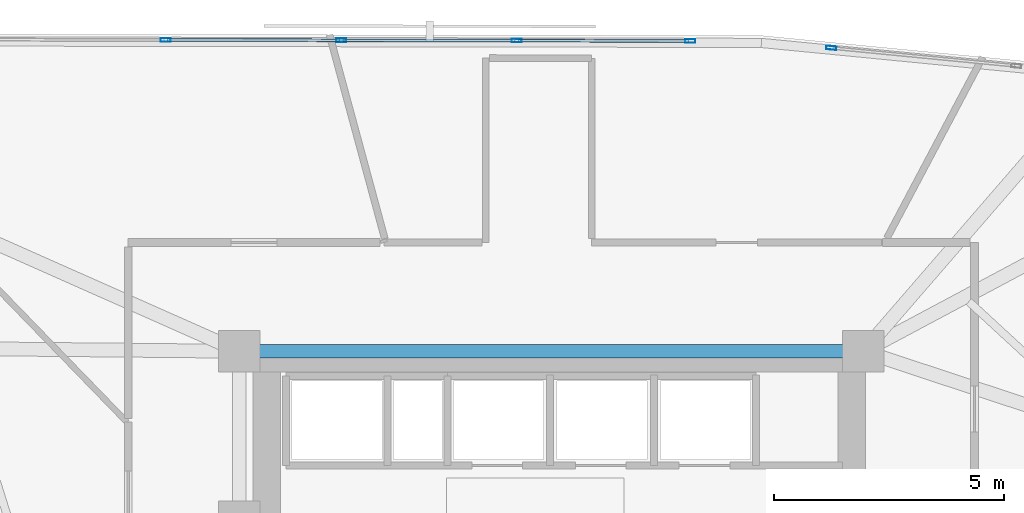
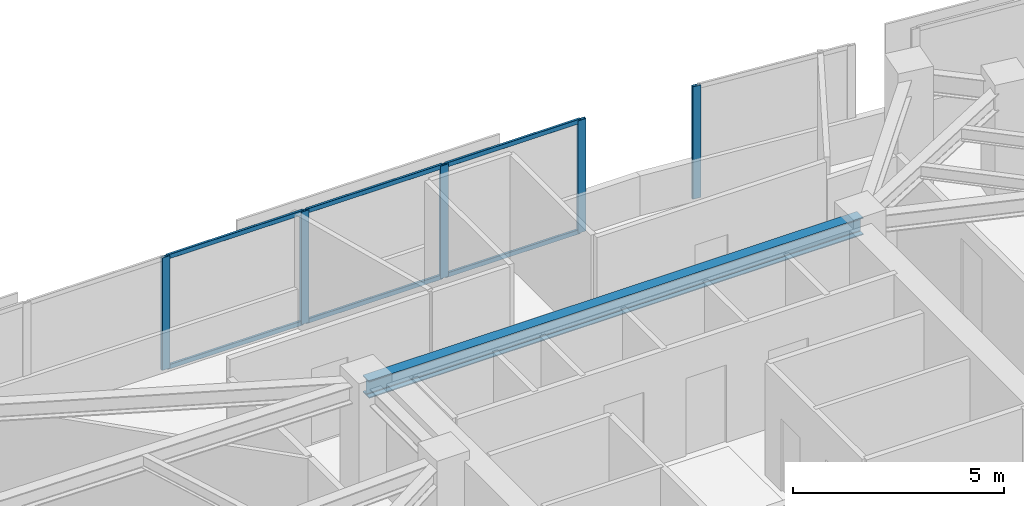
# One storey, part 3 of 14: 11 members, 1 beam, 2 elements without a shape of their own.
"""IFC4 building model written with IfcOpenShell, lengths in metres."""

from ifc_helpers import new_model, si_unit, direction, frame, origin, origin_2d, place, context, subcontext, project, spatial, hollow_rectangle, i_section, extrude, material, material_profile, profile_set, type_object, element, aggregate, save


model = new_model("IFC4")

# Units and contexts
model_context = context("Model", 3, precision=1e-05, world=origin(), true_north=direction((0.0, 1.0)))
body_context = subcontext(model_context, "Body", "Model", "MODEL_VIEW")
ifc_project = project(units=[si_unit("LENGTHUNIT", "METRE"), si_unit("AREAUNIT", "SQUARE_METRE"), si_unit("VOLUMEUNIT", "CUBIC_METRE"), si_unit("PLANEANGLEUNIT", "RADIAN"), si_unit("MASSUNIT", "GRAM", prefix="KILO")], contexts=[model_context])

# Site, building, storey
site_placement = place(None, origin())
site = spatial("IfcSite", under=ifc_project, at=site_placement, CompositionType="ELEMENT")
building_placement = place(site_placement, origin())
building = spatial("IfcBuilding", under=site, at=building_placement, Name="Narakoshi Arena Tower", CompositionType="ELEMENT")
storey_placement = place(building_placement, frame((0.0, 0.0, 236.10009765625)))
storey = spatial("IfcBuildingStorey", under=building, at=storey_placement, Name="L64", CompositionType="ELEMENT", Elevation=236.10009765625)

# Beam
ifc_material_1 = material(Name="Structural steel S355J2", Category="steel")
ifc_material_profile_1 = material_profile(ifc_material_1, i_section(OverallWidth=0.300048828125, OverallDepth=0.5, WebThickness=0.014404296875, FlangeThickness=0.028076171875, FilletRadius=0.027099609375, at=origin_2d()), Name="HE500B")
ifc_profile_set_1 = profile_set([ifc_material_profile_1], Name="Structural steel S355J2")
beam_type = type_object("IfcBeamType", Name="BM-PRI-500", PredefinedType="BEAM", material=ifc_profile_set_1)
beam_placement = place(storey_placement, frame((72.0, 56.5, 3.010009765625), z_axis=(1.0, 0.0, 0.0), x_axis=(0.0, 1.0, 0.0)))
element("IfcBeam", 1, at=beam_placement, inside=storey, type_object=beam_type, Name="L64 Core Perimeter Frame Beam CC5-CC6", PredefinedType="BEAM", context=body_context, shape_type="SweptSolid", body=[
    extrude(i_section(OverallWidth=0.300048828125, OverallDepth=0.5, WebThickness=0.014404296875, FlangeThickness=0.028076171875, FilletRadius=0.027099609375, at=origin_2d()), origin(), (0.0, 0.0, 1.0), 13.550048828125),
])

# Curtain wall, member
ifc_material_2 = material(Name="Anodised bronze aluminium 6063-T6", Category="aluminium")
curtain_wall_type = type_object("IfcCurtainWallType", Name="CW-HYP-HIGH", PredefinedType="NOTDEFINED", material=ifc_material_2)
curtain_wall_1_placement = place(storey_placement, origin())
curtain_wall_1 = element("IfcCurtainWall", 2, at=curtain_wall_1_placement, inside=storey, type_object=curtain_wall_type, Name="L64 Folded Hypotenuse Curtain Wall 1-2", PredefinedType="NOTDEFINED")
ifc_material_profile_2 = material_profile(ifc_material_2, hollow_rectangle(XDim=0.080078125, YDim=0.219970703125, WallThickness=0.0048828125, OuterFilletRadius=0.006103515625, at=origin_2d()), Name="MUL220x80x5")
ifc_profile_set_2 = profile_set([ifc_material_profile_2], Name="Anodised bronze aluminium 6063-T6")
member_type_1 = type_object("IfcMemberType", Name="MEM-MUL-220", PredefinedType="MULLION", material=ifc_profile_set_2)
member_1_placement = place(storey_placement, frame((84.853515625, 63.084716796875, 0.0), z_axis=(0.0, 0.0, 1.0), x_axis=(-0.096842858471, -0.995299683896, 0.0)))
member_1 = element("IfcMember", 3, at=member_1_placement, type_object=member_type_1, Name="CW-03 mullion 2", PredefinedType="MULLION", context=body_context, shape_type="SweptSolid", body=[
    extrude(hollow_rectangle(XDim=0.080078125, YDim=0.219970703125, WallThickness=0.0048828125, OuterFilletRadius=0.006103515625, at=origin_2d()), origin(), (0.0, 0.0, 1.0), 3.260009765625),
])
aggregate(curtain_wall_1, [member_1])

# Curtain wall, members
curtain_wall_2_placement = place(storey_placement, origin())
curtain_wall_2 = element("IfcCurtainWall", 4, at=curtain_wall_2_placement, inside=storey, type_object=curtain_wall_type, Name="L64 Folded Hypotenuse Curtain Wall 2-1", PredefinedType="NOTDEFINED")
member_2_placement = place(storey_placement, frame((81.792236328125, 63.236083984375, 0.0), z_axis=(0.0, 0.0, 1.0), x_axis=(-0.001819896899, -0.999998343986, 0.0)))
member_2 = element("IfcMember", 5, at=member_2_placement, type_object=member_type_1, Name="CW-03 mullion 1", PredefinedType="MULLION", context=body_context, shape_type="SweptSolid", body=[
    extrude(hollow_rectangle(XDim=0.080078125, YDim=0.219970703125, WallThickness=0.0048828125, OuterFilletRadius=0.006103515625, at=origin_2d()), origin(), (0.0, 0.0, 1.0), 3.260009765625),
])
member_3_placement = place(storey_placement, frame((78.0224609375, 63.242919921875, 0.0), z_axis=(0.0, 0.0, 1.0), x_axis=(-0.001819896899, -0.999998343986, 0.0)))
member_3 = element("IfcMember", 6, at=member_3_placement, type_object=member_type_1, Name="CW-03 mullion 2", PredefinedType="MULLION", context=body_context, shape_type="SweptSolid", body=[
    extrude(hollow_rectangle(XDim=0.080078125, YDim=0.219970703125, WallThickness=0.0048828125, OuterFilletRadius=0.006103515625, at=origin_2d()), origin(), (0.0, 0.0, 1.0), 3.260009765625),
])
member_4_placement = place(storey_placement, frame((74.212890625, 63.249755859375, 0.0), z_axis=(0.0, 0.0, 1.0), x_axis=(-0.001819896899, -0.999998343986, 0.0)))
member_4 = element("IfcMember", 7, at=member_4_placement, type_object=member_type_1, Name="CW-03 mullion 3", PredefinedType="MULLION", context=body_context, shape_type="SweptSolid", body=[
    extrude(hollow_rectangle(XDim=0.080078125, YDim=0.219970703125, WallThickness=0.0048828125, OuterFilletRadius=0.006103515625, at=origin_2d()), origin(), (0.0, 0.0, 1.0), 3.260009765625),
])
member_5_placement = place(storey_placement, frame((70.403076171875, 63.2568359375, 0.0), z_axis=(0.0, 0.0, 1.0), x_axis=(-0.001819896899, -0.999998343986, 0.0)))
member_5 = element("IfcMember", 8, at=member_5_placement, type_object=member_type_1, Name="CW-03 mullion 4", PredefinedType="MULLION", context=body_context, shape_type="SweptSolid", body=[
    extrude(hollow_rectangle(XDim=0.080078125, YDim=0.219970703125, WallThickness=0.0048828125, OuterFilletRadius=0.006103515625, at=origin_2d()), origin(), (0.0, 0.0, 1.0), 3.260009765625),
])
ifc_material_profile_3 = material_profile(ifc_material_2, hollow_rectangle(XDim=0.06494140625, YDim=0.1298828125, WallThickness=0.00390625, OuterFilletRadius=0.0048828125, at=origin_2d()), Name="TRN130x65x4")
ifc_profile_set_3 = profile_set([ifc_material_profile_3], Name="Anodised bronze aluminium 6063-T6")
member_type_2 = type_object("IfcMemberType", Name="MEM-TRN-130", PredefinedType="USERDEFINED", material=ifc_profile_set_3)
member_6_placement = place(storey_placement, frame((81.752197265625, 63.236083984375, 0.032470703125), z_axis=(-0.999998283738, 0.001852706408, 0.0), x_axis=(-0.001852706408, -0.999998283738, 0.0)))
member_6 = element("IfcMember", 9, at=member_6_placement, type_object=member_type_2, Name="CW-03 transom 1.1", ObjectType="TRANSOM", PredefinedType="USERDEFINED", context=body_context, shape_type="SweptSolid", body=[
    extrude(hollow_rectangle(XDim=0.06494140625, YDim=0.1298828125, WallThickness=0.00390625, OuterFilletRadius=0.0048828125, at=origin_2d()), origin(), (0.0, 0.0, 1.0), 3.689697265625),
])
member_7_placement = place(storey_placement, frame((81.752197265625, 63.236083984375, 3.227294921875), z_axis=(-0.999998283738, 0.001852706408, 0.0), x_axis=(-0.001852706408, -0.999998283738, 0.0)))
member_7 = element("IfcMember", 10, at=member_7_placement, type_object=member_type_2, Name="CW-03 transom 1.2", ObjectType="TRANSOM", PredefinedType="USERDEFINED", context=body_context, shape_type="SweptSolid", body=[
    extrude(hollow_rectangle(XDim=0.06494140625, YDim=0.1298828125, WallThickness=0.00390625, OuterFilletRadius=0.0048828125, at=origin_2d()), origin(), (0.0, 0.0, 1.0), 3.689697265625),
])
member_8_placement = place(storey_placement, frame((77.982666015625, 63.242919921875, 0.032470703125), z_axis=(-0.999998320389, 0.001832817502, 0.0), x_axis=(-0.001832817502, -0.999998320389, 0.0)))
member_8 = element("IfcMember", 11, at=member_8_placement, type_object=member_type_2, Name="CW-03 transom 2.1", ObjectType="TRANSOM", PredefinedType="USERDEFINED", context=body_context, shape_type="SweptSolid", body=[
    extrude(hollow_rectangle(XDim=0.06494140625, YDim=0.1298828125, WallThickness=0.00390625, OuterFilletRadius=0.0048828125, at=origin_2d()), origin(), (0.0, 0.0, 1.0), 3.729736328125),
])
member_9_placement = place(storey_placement, frame((77.982666015625, 63.242919921875, 3.227294921875), z_axis=(-0.999998320389, 0.001832817502, 0.0), x_axis=(-0.001832817502, -0.999998320389, 0.0)))
member_9 = element("IfcMember", 12, at=member_9_placement, type_object=member_type_2, Name="CW-03 transom 2.2", ObjectType="TRANSOM", PredefinedType="USERDEFINED", context=body_context, shape_type="SweptSolid", body=[
    extrude(hollow_rectangle(XDim=0.06494140625, YDim=0.1298828125, WallThickness=0.00390625, OuterFilletRadius=0.0048828125, at=origin_2d()), origin(), (0.0, 0.0, 1.0), 3.729736328125),
])
member_10_placement = place(storey_placement, frame((74.1728515625, 63.25, 0.032470703125), z_axis=(-0.999998320389, 0.001832817502, 0.0), x_axis=(-0.001832817502, -0.999998320389, 0.0)))
member_10 = element("IfcMember", 13, at=member_10_placement, type_object=member_type_2, Name="CW-03 transom 3.1", ObjectType="TRANSOM", PredefinedType="USERDEFINED", context=body_context, shape_type="SweptSolid", body=[
    extrude(hollow_rectangle(XDim=0.06494140625, YDim=0.1298828125, WallThickness=0.00390625, OuterFilletRadius=0.0048828125, at=origin_2d()), origin(), (0.0, 0.0, 1.0), 3.729736328125),
])
member_11_placement = place(storey_placement, frame((74.1728515625, 63.25, 3.227294921875), z_axis=(-0.999998320389, 0.001832817502, 0.0), x_axis=(-0.001832817502, -0.999998320389, 0.0)))
member_11 = element("IfcMember", 14, at=member_11_placement, type_object=member_type_2, Name="CW-03 transom 3.2", ObjectType="TRANSOM", PredefinedType="USERDEFINED", context=body_context, shape_type="SweptSolid", body=[
    extrude(hollow_rectangle(XDim=0.06494140625, YDim=0.1298828125, WallThickness=0.00390625, OuterFilletRadius=0.0048828125, at=origin_2d()), origin(), (0.0, 0.0, 1.0), 3.729736328125),
])
aggregate(curtain_wall_2, [member_2, member_3, member_4, member_5, member_6, member_7, member_8, member_9, member_10, member_11])

save(model, "model.ifc")
